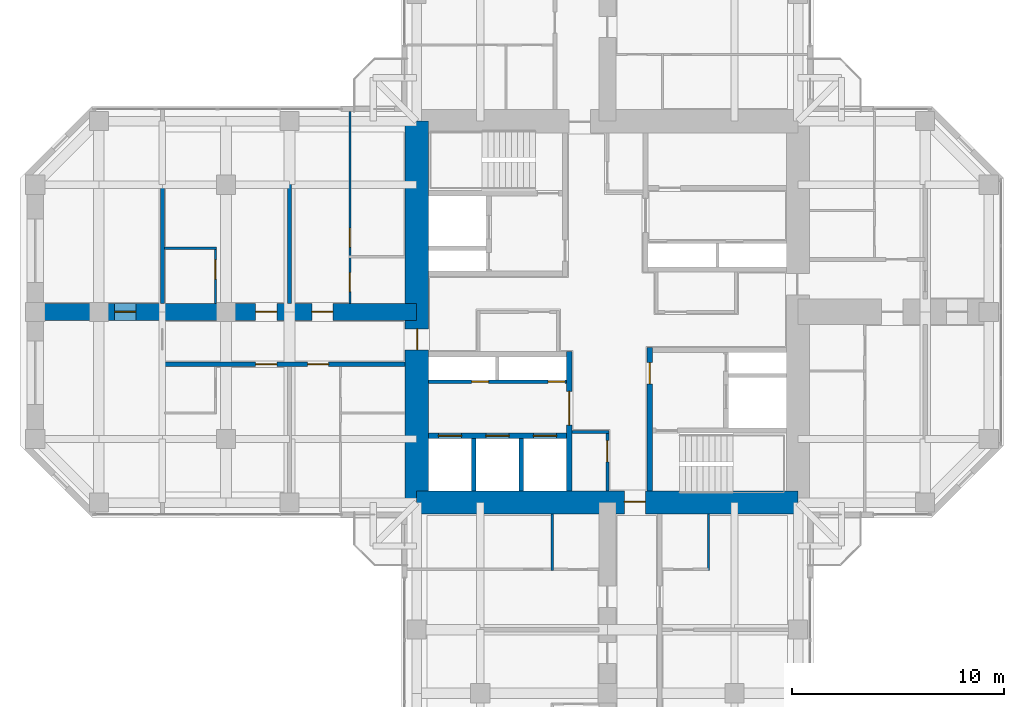
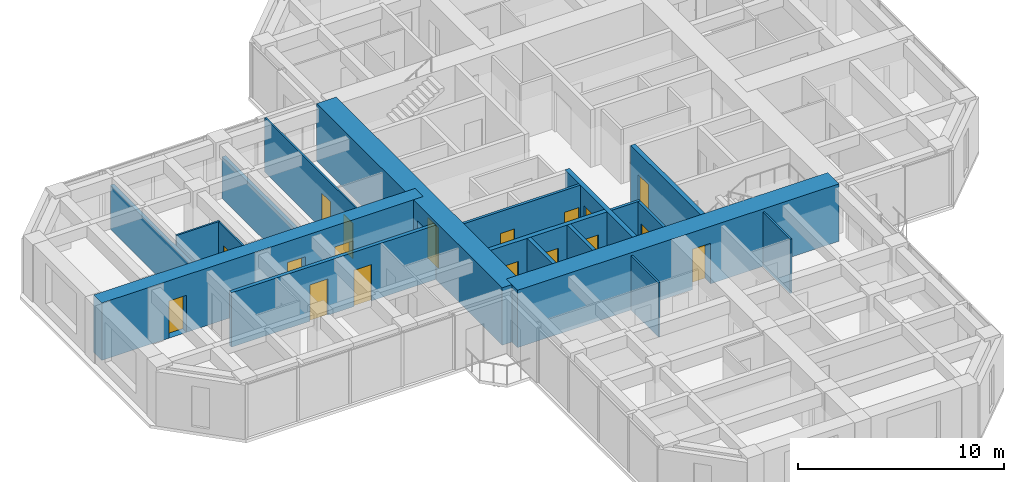
# One storey, part 9 of 14: 19 walls, 18 doors, 18 openings.
"""IFC4 building model written with IfcOpenShell, lengths in metres."""

from ifc_helpers import new_model, si_unit, direction, frame, frame_2d, origin, place, context, subcontext, project, spatial, rectangle, extrude, material, layer, layer_set, constituent, constituent_set, type_object, element, fill, save


model = new_model("IFC4")

# Units and contexts
model_context = context("Model", 3, precision=1e-05, world=origin(), true_north=direction((0.0, 1.0)))
body_context = subcontext(model_context, "Body", "Model", "MODEL_VIEW")
ifc_project = project(units=[si_unit("LENGTHUNIT", "METRE"), si_unit("AREAUNIT", "SQUARE_METRE"), si_unit("VOLUMEUNIT", "CUBIC_METRE"), si_unit("PLANEANGLEUNIT", "RADIAN"), si_unit("MASSUNIT", "GRAM", prefix="KILO")], contexts=[model_context])

# Site, building, storey
site_placement = place(None, origin())
site = spatial("IfcSite", under=ifc_project, at=site_placement, CompositionType="ELEMENT")
building_placement = place(site_placement, origin())
building = spatial("IfcBuilding", under=site, at=building_placement, Name="Torre Cruceta", CompositionType="ELEMENT")
storey_placement = place(building_placement, frame((0.0, 0.0, 186.5)))
storey = spatial("IfcBuildingStorey", under=building, at=storey_placement, Name="L46", CompositionType="ELEMENT", Elevation=186.5)

# Walls
ifc_material_1 = material(Name="Water-resistant plasterboard on steel studs", Category="steel")
ifc_layer_1 = layer(ifc_material_1, 0.10009765625)
ifc_layer_set_1 = layer_set([ifc_layer_1], Name="Water-resistant plasterboard on steel studs")
wall_type_1 = type_object("IfcWallType", Name="BATHROOM WALL 100", PredefinedType="PARTITIONING", material=ifc_layer_set_1)
for number, where, z_axis, x_axis, name in (
    (1, (4.77490234375, -9.550048828125, 0.0), (0.0, 0.0, 1.0), (0.0, -1.0, 0.0), "PT4 L46-S-U1LBB"),
    (2, (-2.60009765625, -9.550048828125, 0.0), (0.0, 0.0, 1.0), (0.0, -1.0, 0.0), "PT4 L46-S-U1RBB"),
):
    element("IfcWall", number, at=place(storey_placement, frame(where, z_axis=z_axis, x_axis=x_axis)), inside=storey, type_object=wall_type_1, Name=name, PredefinedType="PARTITIONING", context=body_context, shape_type="SweptSolid", body=[
        extrude(rectangle(XDim=2.64990234375, YDim=0.10009765625, at=frame_2d((1.324951171875, 0.0))), origin(), (0.0, 0.0, 1.0), 3.219970703125),
    ])

# Wall, openings, doors
wall_1_placement = place(storey_placement, frame((-12.14990234375, 9.445068359375, 0.0), z_axis=(0.0, 0.0, 1.0), x_axis=(0.0, -1.0, 0.0)))
wall_1 = element("IfcWall", 3, at=wall_1_placement, inside=storey, type_object=wall_type_1, Name="PT4 L46-W-U1RBS", PredefinedType="PARTITIONING", context=body_context, shape_type="SweptSolid", body=[
    extrude(rectangle(XDim=9.045166015625, YDim=0.10009765625, at=frame_2d((4.5224609375, 0.0))), origin(), (0.0, 0.0, 1.0), 3.219970703125),
])
opening_1_placement = place(wall_1_placement, frame((5.4951171875, 0.0, 0.0)))
opening_1 = element("IfcOpeningElement", 4, at=opening_1_placement, cuts=wall_1, Name="Opening D7", PredefinedType="OPENING", context=body_context, shape_type="SweptSolid", body=[
    extrude(rectangle(XDim=0.89990234375, YDim=2.10009765625, at=frame_2d((0.449951171875, 1.050048828125))), frame((0.0, 0.06005859375, 0.0), z_axis=(0.0, -1.0, 0.0), x_axis=(1.0, 0.0, 0.0)), (0.0, 0.0, 1.0), 0.1201171875),
])
opening_2_placement = place(wall_1_placement, frame((7.594970703125, 0.0, 0.0)))
opening_2 = element("IfcOpeningElement", 5, at=opening_2_placement, cuts=wall_1, Name="Opening D7", PredefinedType="OPENING", context=body_context, shape_type="SweptSolid", body=[
    extrude(rectangle(XDim=0.89990234375, YDim=2.10009765625, at=frame_2d((0.449951171875, 1.050048828125))), frame((0.0, 0.06005859375, 0.0), z_axis=(0.0, -1.0, 0.0), x_axis=(1.0, 0.0, 0.0)), (0.0, 0.0, 1.0), 0.1201171875),
])
ifc_material_2 = material(Name="Timber door", Category="wood")
door_type_1 = type_object("IfcDoorType", Name="BATHROOM DOOR 900X2100", OperationType="SINGLE_SWING_LEFT", PredefinedType="DOOR", material=ifc_material_2)
door_1_placement = place(opening_1_placement, origin())
door_1 = element("IfcDoor", 6, at=door_1_placement, inside=storey, type_object=door_type_1, Name="D7 L46-W-U1RBS-D1", OperationType="SINGLE_SWING_RIGHT", OverallHeight=2.10009765625, OverallWidth=0.89990234375, PredefinedType="DOOR", context=body_context, shape_type="SweptSolid", body=[
    extrude(rectangle(XDim=0.89990234375, YDim=2.10009765625, at=frame_2d((0.449951171875, 1.050048828125))), frame((0.0, 0.02490234375, 0.0), z_axis=(0.0, -1.0, 0.0), x_axis=(1.0, 0.0, 0.0)), (0.0, 0.0, 1.0), 0.050048828125),
])
fill(opening_1, door_1)
door_2_placement = place(opening_2_placement, origin())
door_2 = element("IfcDoor", 7, at=door_2_placement, inside=storey, type_object=door_type_1, Name="D7 L46-W-U1RBS-D2", OperationType="SINGLE_SWING_RIGHT", OverallHeight=2.10009765625, OverallWidth=0.89990234375, PredefinedType="DOOR", context=body_context, shape_type="SweptSolid", body=[
    extrude(rectangle(XDim=0.89990234375, YDim=2.10009765625, at=frame_2d((0.449951171875, 1.050048828125))), frame((0.0, 0.02490234375, 0.0), z_axis=(0.0, -1.0, 0.0), x_axis=(1.0, 0.0, 0.0)), (0.0, 0.0, 1.0), 0.050048828125),
])
fill(opening_2, door_2)

# Wall
wall_2_placement = place(storey_placement, frame((-18.449951171875, 3.0, 0.0), z_axis=(0.0, 0.0, 1.0), x_axis=(-1.0, 0.0, 0.0)))
element("IfcWall", 8, at=wall_2_placement, inside=storey, type_object=wall_type_1, Name="PT4 L46-W-U2RBB", PredefinedType="PARTITIONING", context=body_context, shape_type="SweptSolid", body=[
    extrude(rectangle(XDim=2.449951171875, YDim=0.10009765625, at=frame_2d((1.22509765625, 0.0))), origin(), (0.0, 0.0, 1.0), 3.219970703125),
])

# Wall, opening, door
wall_3_placement = place(storey_placement, frame((-18.5, 3.0, 0.0), z_axis=(0.0, 0.0, 1.0), x_axis=(0.0, -1.0, 0.0)))
wall_3 = element("IfcWall", 9, at=wall_3_placement, inside=storey, type_object=wall_type_1, Name="PT4 L46-W-U2RBS", PredefinedType="PARTITIONING", context=body_context, shape_type="SweptSolid", body=[
    extrude(rectangle(XDim=2.60009765625, YDim=0.10009765625, at=frame_2d((1.300048828125, 0.0))), origin(), (0.0, 0.0, 1.0), 3.219970703125),
])
opening_3_placement = place(wall_3_placement, frame((0.550048828125, 0.0, 0.0)))
opening_3 = element("IfcOpeningElement", 10, at=opening_3_placement, cuts=wall_3, Name="Opening D7", PredefinedType="OPENING", context=body_context, shape_type="SweptSolid", body=[
    extrude(rectangle(XDim=0.89990234375, YDim=2.10009765625, at=frame_2d((0.449951171875, 1.050048828125))), frame((0.0, 0.06005859375, 0.0), z_axis=(0.0, -1.0, 0.0), x_axis=(1.0, 0.0, 0.0)), (0.0, 0.0, 1.0), 0.1201171875),
])
door_3_placement = place(opening_3_placement, frame((0.89990234375, 0.0, 0.0), z_axis=(0.0, 0.0, 1.0), x_axis=(-1.0, 0.0, 0.0)))
door_3 = element("IfcDoor", 11, at=door_3_placement, inside=storey, type_object=door_type_1, Name="D7 L46-W-U2RBS-D1", OperationType="SINGLE_SWING_RIGHT", OverallHeight=2.10009765625, OverallWidth=0.89990234375, PredefinedType="DOOR", context=body_context, shape_type="SweptSolid", body=[
    extrude(rectangle(XDim=0.89990234375, YDim=2.10009765625, at=frame_2d((0.449951171875, 1.050048828125))), frame((0.0, 0.025146484375, 0.0), z_axis=(0.0, -1.0, 0.0), x_axis=(1.0, 0.0, 0.0)), (0.0, 0.0, 1.0), 0.050048828125),
])
fill(opening_3, door_3)

ifc_material_3 = material(Name="Concrete G60 (fck 60 MPa)", Category="concrete")
ifc_layer_2 = layer(ifc_material_3, 0.25)
ifc_layer_set_2 = layer_set([ifc_layer_2], Name="Concrete G60 (fck 60 MPa)")
wall_type_2 = type_object("IfcWallType", Name="CORE INNER WALL 250 G60", PredefinedType="SHEAR", material=ifc_layer_set_2)
wall_4_placement = place(storey_placement, frame((-1.800048828125, -1.875, 0.0), z_axis=(0.0, 0.0, 1.0), x_axis=(0.0, -1.0, 0.0)))
wall_4 = element("IfcWall", 12, at=wall_4_placement, inside=storey, type_object=wall_type_2, Name="CW4 L46 SW-CU", PredefinedType="SHEAR", context=body_context, shape_type="SweptSolid", body=[
    extrude(rectangle(XDim=6.574951171875, YDim=0.25, at=frame_2d((3.28759765625, 0.0))), origin(), (0.0, 0.0, 1.0), 3.39990234375),
])
opening_4_placement = place(wall_4_placement, frame((1.875, 0.0, 0.0)))
opening_4 = element("IfcOpeningElement", 13, at=opening_4_placement, cuts=wall_4, Name="Opening D8", PredefinedType="OPENING", context=body_context, shape_type="SweptSolid", body=[
    extrude(rectangle(XDim=1.60009765625, YDim=2.39990234375, at=frame_2d((0.800048828125, 1.199951171875))), frame((0.0, 0.135009765625, 0.0), z_axis=(0.0, -1.0, 0.0), x_axis=(1.0, 0.0, 0.0)), (0.0, 0.0, 1.0), 0.27001953125),
])
ifc_material_4 = material(Name="Steel DX51D", Category="steel")
ifc_constituent_1 = constituent(ifc_material_4, Name="Leaf and frame")
ifc_material_5 = material(Name="Polyester powder coating", Category="paint")
ifc_constituent_2 = constituent(ifc_material_5, Name="Finish")
ifc_material_6 = material(Name="Fire-resisting glass", Category="glass")
ifc_constituent_3 = constituent(ifc_material_6, Name="Vision panel")
ifc_constituent_set_1 = constituent_set(constituents=[ifc_constituent_1, ifc_constituent_2, ifc_constituent_3], Name="Steel fire door with vision panels")
door_type_2 = type_object("IfcDoorType", Name="LIFT LOBBY DOUBLE DOOR 1600X2400", OperationType="DOUBLE_DOOR_DOUBLE_SWING", PredefinedType="DOOR", material=ifc_constituent_set_1)
door_4_placement = place(opening_4_placement, origin())
door_4 = element("IfcDoor", 14, at=door_4_placement, inside=storey, type_object=door_type_2, Name="D8 L46 SW-LOBBY", OperationType="DOUBLE_DOOR_DOUBLE_SWING", OverallHeight=2.39990234375, OverallWidth=1.60009765625, PredefinedType="DOOR", context=body_context, shape_type="SweptSolid", body=[
    extrude(rectangle(XDim=1.60009765625, YDim=2.39990234375, at=frame_2d((0.800048828125, 1.199951171875))), frame((0.0, 0.02490234375, 0.0), z_axis=(0.0, -1.0, 0.0), x_axis=(1.0, 0.0, 0.0)), (0.0, 0.0, 1.0), 0.050048828125),
])
fill(opening_4, door_4)

# Wall, openings, doors
wall_5_placement = place(storey_placement, frame((-1.925048828125, -5.85009765625, 0.0), z_axis=(0.0, 0.0, 1.0), x_axis=(-1.0, 0.0, 0.0)))
wall_5 = element("IfcWall", 15, at=wall_5_placement, inside=storey, type_object=wall_type_2, Name="CW4 L46 SW-LV", PredefinedType="SHEAR", context=body_context, shape_type="SweptSolid", body=[
    extrude(rectangle(XDim=6.52490234375, YDim=0.25, at=frame_2d((3.262451171875, 0.0))), origin(), (0.0, 0.0, 1.0), 3.39990234375),
])
opening_5_placement = place(wall_5_placement, frame((0.470947265625, 0.0, 0.0)))
opening_5 = element("IfcOpeningElement", 16, at=opening_5_placement, cuts=wall_5, Name="Opening LD1", PredefinedType="OPENING", context=body_context, shape_type="SweptSolid", body=[
    extrude(rectangle(XDim=1.10009765625, YDim=2.199951171875, at=frame_2d((0.550048828125, 1.10009765625))), frame((0.0, 0.135009765625, 0.0), z_axis=(0.0, -1.0, 0.0), x_axis=(1.0, 0.0, 0.0)), (0.0, 0.0, 1.0), 0.27001953125),
])
opening_6_placement = place(wall_5_placement, frame((2.71240234375, 0.0, 0.0)))
opening_6 = element("IfcOpeningElement", 17, at=opening_6_placement, cuts=wall_5, Name="Opening LD1", PredefinedType="OPENING", context=body_context, shape_type="SweptSolid", body=[
    extrude(rectangle(XDim=1.10009765625, YDim=2.199951171875, at=frame_2d((0.550048828125, 1.10009765625))), frame((0.0, 0.135009765625, 0.0), z_axis=(0.0, -1.0, 0.0), x_axis=(1.0, 0.0, 0.0)), (0.0, 0.0, 1.0), 0.27001953125),
])
opening_7_placement = place(wall_5_placement, frame((4.9541015625, 0.0, 0.0)))
opening_7 = element("IfcOpeningElement", 18, at=opening_7_placement, cuts=wall_5, Name="Opening LD1", PredefinedType="OPENING", context=body_context, shape_type="SweptSolid", body=[
    extrude(rectangle(XDim=1.10009765625, YDim=2.199951171875, at=frame_2d((0.550048828125, 1.10009765625))), frame((0.0, 0.135009765625, 0.0), z_axis=(0.0, -1.0, 0.0), x_axis=(1.0, 0.0, 0.0)), (0.0, 0.0, 1.0), 0.27001953125),
])
ifc_material_7 = material(Name="Stainless steel 1.4401", Category="steel")
door_type_3 = type_object("IfcDoorType", Name="LIFT LANDING DOOR 1100X2200", OperationType="DOUBLE_DOOR_SLIDING", PredefinedType="DOOR", material=ifc_material_7)
door_5_placement = place(opening_5_placement, origin())
door_5 = element("IfcDoor", 19, at=door_5_placement, inside=storey, type_object=door_type_3, Name="Lift landing door R1", OperationType="DOUBLE_DOOR_SLIDING", OverallHeight=2.199951171875, OverallWidth=1.10009765625, PredefinedType="DOOR", context=body_context, shape_type="SweptSolid", body=[
    extrude(rectangle(XDim=1.10009765625, YDim=2.199951171875, at=frame_2d((0.550048828125, 1.10009765625))), frame((0.0, 0.02490234375, 0.0), z_axis=(0.0, -1.0, 0.0), x_axis=(1.0, 0.0, 0.0)), (0.0, 0.0, 1.0), 0.050048828125),
])
fill(opening_5, door_5)
door_6_placement = place(opening_6_placement, origin())
door_6 = element("IfcDoor", 20, at=door_6_placement, inside=storey, type_object=door_type_3, Name="Lift landing door R2", OperationType="DOUBLE_DOOR_SLIDING", OverallHeight=2.199951171875, OverallWidth=1.10009765625, PredefinedType="DOOR", context=body_context, shape_type="SweptSolid", body=[
    extrude(rectangle(XDim=1.10009765625, YDim=2.199951171875, at=frame_2d((0.550048828125, 1.10009765625))), frame((0.0, 0.02490234375, 0.0), z_axis=(0.0, -1.0, 0.0), x_axis=(1.0, 0.0, 0.0)), (0.0, 0.0, 1.0), 0.050048828125),
])
fill(opening_6, door_6)
door_7_placement = place(opening_7_placement, origin())
door_7 = element("IfcDoor", 21, at=door_7_placement, inside=storey, type_object=door_type_3, Name="Lift landing door R3", OperationType="DOUBLE_DOOR_SLIDING", OverallHeight=2.199951171875, OverallWidth=1.10009765625, PredefinedType="DOOR", context=body_context, shape_type="SweptSolid", body=[
    extrude(rectangle(XDim=1.10009765625, YDim=2.199951171875, at=frame_2d((0.550048828125, 1.10009765625))), frame((0.0, 0.02490234375, 0.0), z_axis=(0.0, -1.0, 0.0), x_axis=(1.0, 0.0, 0.0)), (0.0, 0.0, 1.0), 0.050048828125),
])
fill(opening_7, door_7)

# Wall, opening, door
wall_6_placement = place(storey_placement, frame((2.0, -1.675048828125, 0.0), z_axis=(0.0, 0.0, 1.0), x_axis=(0.0, -1.0, 0.0)))
wall_6 = element("IfcWall", 22, at=wall_6_placement, inside=storey, type_object=wall_type_2, Name="CW4 L46 SE-CU", PredefinedType="SHEAR", context=body_context, shape_type="SweptSolid", body=[
    extrude(rectangle(XDim=6.77490234375, YDim=0.25, at=frame_2d((3.387451171875, 0.0))), origin(), (0.0, 0.0, 1.0), 3.39990234375),
])
opening_8_placement = place(wall_6_placement, frame((0.72509765625, 0.0, 0.0)))
opening_8 = element("IfcOpeningElement", 23, at=opening_8_placement, cuts=wall_6, Name="Opening D3", PredefinedType="OPENING", context=body_context, shape_type="SweptSolid", body=[
    extrude(rectangle(XDim=1.0, YDim=2.10009765625, at=frame_2d((0.5, 1.050048828125))), frame((0.0, 0.135009765625, 0.0), z_axis=(0.0, -1.0, 0.0), x_axis=(1.0, 0.0, 0.0)), (0.0, 0.0, 1.0), 0.27001953125),
])
ifc_material_8 = material(Name="Steel DX51D", Category="steel")
ifc_constituent_4 = constituent(ifc_material_8, Name="Leaf and frame")
ifc_material_9 = material(Name="Polyester powder coating", Category="paint")
ifc_constituent_5 = constituent(ifc_material_9, Name="Finish")
ifc_constituent_set_2 = constituent_set(constituents=[ifc_constituent_4, ifc_constituent_5], Name="Steel fire door")
door_type_4 = type_object("IfcDoorType", Name="FIRE DOOR 1000X2100", OperationType="SINGLE_SWING_LEFT", PredefinedType="DOOR", material=ifc_constituent_set_2)
door_8_placement = place(opening_8_placement, origin())
door_8 = element("IfcDoor", 24, at=door_8_placement, inside=storey, type_object=door_type_4, Name="D3 L46 SE-LOBBY", OperationType="SINGLE_SWING_LEFT", OverallHeight=2.10009765625, OverallWidth=1.0, PredefinedType="DOOR", context=body_context, shape_type="SweptSolid", body=[
    extrude(rectangle(XDim=1.0, YDim=2.10009765625, at=frame_2d((0.5, 1.050048828125))), frame((0.0, 0.02490234375, 0.0), z_axis=(0.0, -1.0, 0.0), x_axis=(1.0, 0.0, 0.0)), (0.0, 0.0, 1.0), 0.050048828125),
])
fill(opening_8, door_8)

ifc_material_10 = material(Name="Concrete G60 (fck 60 MPa)", Category="concrete")
ifc_layer_3 = layer(ifc_material_10, 1.10009765625)
ifc_layer_set_3 = layer_set([ifc_layer_3], Name="Concrete G60 (fck 60 MPa)")
wall_type_3 = type_object("IfcWallType", Name="CORE WALL 1100 G60", PredefinedType="SHEAR", material=ifc_layer_set_3)
wall_7_placement = place(storey_placement, frame((-9.0, -9.0, 0.0), z_axis=(0.0, 0.0, 1.0), x_axis=(1.0, 0.0, 0.0)))
wall_7 = element("IfcWall", 25, at=wall_7_placement, inside=storey, type_object=wall_type_3, Name="CW2 L46 CW-S", PredefinedType="SHEAR", context=body_context, shape_type="SweptSolid", body=[
    extrude(rectangle(XDim=18.0, YDim=1.10009765625, at=frame_2d((9.0, 0.0))), origin(), (0.0, 0.0, 1.0), 3.39990234375),
])
opening_9_placement = place(wall_7_placement, frame((9.800048828125, 0.0, 0.0)))
opening_9 = element("IfcOpeningElement", 26, at=opening_9_placement, cuts=wall_7, Name="Opening D4", PredefinedType="OPENING", context=body_context, shape_type="SweptSolid", body=[
    extrude(rectangle(XDim=1.0, YDim=2.39990234375, at=frame_2d((0.5, 1.199951171875))), frame((0.0, 0.56005859375, 0.0), z_axis=(0.0, -1.0, 0.0), x_axis=(1.0, 0.0, 0.0)), (0.0, 0.0, 1.0), 1.1201171875),
])
ifc_material_11 = material(Name="Steel DX51D", Category="steel")
ifc_constituent_6 = constituent(ifc_material_11, Name="Leaf and frame")
ifc_material_12 = material(Name="Polyester powder coating", Category="paint")
ifc_constituent_7 = constituent(ifc_material_12, Name="Finish")
ifc_constituent_set_3 = constituent_set(constituents=[ifc_constituent_6, ifc_constituent_7], Name="Steel fire door")
door_type_5 = type_object("IfcDoorType", Name="CORE ARM DOOR 1000X2400", OperationType="SINGLE_SWING_RIGHT", PredefinedType="DOOR", material=ifc_constituent_set_3)
door_9_placement = place(opening_9_placement, origin())
door_9 = element("IfcDoor", 27, at=door_9_placement, inside=storey, type_object=door_type_5, Name="D4 L46 CW-S", OperationType="SINGLE_SWING_RIGHT", OverallHeight=2.39990234375, OverallWidth=1.0, PredefinedType="DOOR", context=body_context, shape_type="SweptSolid", body=[
    extrude(rectangle(XDim=1.0, YDim=2.39990234375, at=frame_2d((0.5, 1.199951171875))), frame((0.0, 0.05517578125, 0.0), z_axis=(0.0, -1.0, 0.0), x_axis=(1.0, 0.0, 0.0)), (0.0, 0.0, 1.0), 0.050048828125),
])
fill(opening_9, door_9)

wall_8_placement = place(storey_placement, frame((-9.0, 9.0, 0.0), z_axis=(0.0, 0.0, 1.0), x_axis=(0.0, -1.0, 0.0)))
wall_8 = element("IfcWall", 28, at=wall_8_placement, inside=storey, type_object=wall_type_3, Name="CW2 L46 CW-W", PredefinedType="SHEAR", context=body_context, shape_type="SweptSolid", body=[
    extrude(rectangle(XDim=18.0, YDim=1.10009765625, at=frame_2d((9.0, 0.0))), origin(), (0.0, 0.0, 1.0), 3.39990234375),
])
opening_10_placement = place(wall_8_placement, frame((9.800048828125, 0.0, 0.0)))
opening_10 = element("IfcOpeningElement", 29, at=opening_10_placement, cuts=wall_8, Name="Opening D4", PredefinedType="OPENING", context=body_context, shape_type="SweptSolid", body=[
    extrude(rectangle(XDim=1.0, YDim=2.39990234375, at=frame_2d((0.5, 1.199951171875))), frame((0.0, 0.56005859375, 0.0), z_axis=(0.0, -1.0, 0.0), x_axis=(1.0, 0.0, 0.0)), (0.0, 0.0, 1.0), 1.1201171875),
])
door_10_placement = place(opening_10_placement, origin())
door_10 = element("IfcDoor", 30, at=door_10_placement, inside=storey, type_object=door_type_5, Name="D4 L46 CW-W", OperationType="SINGLE_SWING_RIGHT", OverallHeight=2.39990234375, OverallWidth=1.0, PredefinedType="DOOR", context=body_context, shape_type="SweptSolid", body=[
    extrude(rectangle(XDim=1.0, YDim=2.39990234375, at=frame_2d((0.5, 1.199951171875))), frame((0.0, 0.05517578125, 0.0), z_axis=(0.0, -1.0, 0.0), x_axis=(1.0, 0.0, 0.0)), (0.0, 0.0, 1.0), 0.050048828125),
])
fill(opening_10, door_10)

# Wall, openings, doors
ifc_material_13 = material(Name="Concrete G25 (fck 25 MPa)", Category="concrete")
ifc_layer_4 = layer(ifc_material_13, 0.199951171875)
ifc_layer_set_4 = layer_set([ifc_layer_4], Name="Concrete G25 (fck 25 MPa)")
wall_type_4 = type_object("IfcWallType", Name="CORRIDOR WALL 200", PredefinedType="SOLIDWALL", material=ifc_layer_set_4)
wall_9_placement = place(storey_placement, frame((-9.550048828125, -2.47509765625, 0.0), z_axis=(0.0, 0.0, 1.0), x_axis=(-1.0, 0.0, 0.0)))
wall_9 = element("IfcWall", 31, at=wall_9_placement, inside=storey, type_object=wall_type_4, Name="PT3 L46-W-CL", PredefinedType="SOLIDWALL", context=body_context, shape_type="SweptSolid", body=[
    extrude(rectangle(XDim=11.449951171875, YDim=0.199951171875, at=frame_2d((5.72509765625, 0.0))), origin(), (0.0, 0.0, 1.0), 3.219970703125),
])
opening_11_placement = place(wall_9_placement, frame((3.60009765625, 0.0, 0.0)))
opening_11 = element("IfcOpeningElement", 32, at=opening_11_placement, cuts=wall_9, Name="Opening D6", PredefinedType="OPENING", context=body_context, shape_type="SweptSolid", body=[
    extrude(rectangle(XDim=1.0, YDim=2.14990234375, at=frame_2d((0.5, 1.074951171875))), frame((0.0, 0.10986328125, 0.0), z_axis=(0.0, -1.0, 0.0), x_axis=(1.0, 0.0, 0.0)), (0.0, 0.0, 1.0), 0.219970703125),
])
opening_12_placement = place(wall_9_placement, frame((6.050048828125, 0.0, 0.0)))
opening_12 = element("IfcOpeningElement", 33, at=opening_12_placement, cuts=wall_9, Name="Opening D6", PredefinedType="OPENING", context=body_context, shape_type="SweptSolid", body=[
    extrude(rectangle(XDim=1.0, YDim=2.14990234375, at=frame_2d((0.5, 1.074951171875))), frame((0.0, 0.10986328125, 0.0), z_axis=(0.0, -1.0, 0.0), x_axis=(1.0, 0.0, 0.0)), (0.0, 0.0, 1.0), 0.219970703125),
])
ifc_material_14 = material(Name="Timber fire door", Category="wood")
door_type_6 = type_object("IfcDoorType", Name="UNIT ENTRANCE DOOR 1000X2150", OperationType="SINGLE_SWING_LEFT", PredefinedType="DOOR", material=ifc_material_14)
door_11_placement = place(opening_11_placement, origin())
door_11 = element("IfcDoor", 34, at=door_11_placement, inside=storey, type_object=door_type_6, Name="D6 L46-W-CL-D1", OperationType="SINGLE_SWING_LEFT", OverallHeight=2.14990234375, OverallWidth=1.0, PredefinedType="DOOR", context=body_context, shape_type="SweptSolid", body=[
    extrude(rectangle(XDim=1.0, YDim=2.14990234375, at=frame_2d((0.5, 1.074951171875))), frame((0.0, 0.02490234375, 0.0), z_axis=(0.0, -1.0, 0.0), x_axis=(1.0, 0.0, 0.0)), (0.0, 0.0, 1.0), 0.050048828125),
])
fill(opening_11, door_11)
door_12_placement = place(opening_12_placement, origin())
door_12 = element("IfcDoor", 35, at=door_12_placement, inside=storey, type_object=door_type_6, Name="D6 L46-W-CL-D2", OperationType="SINGLE_SWING_LEFT", OverallHeight=2.14990234375, OverallWidth=1.0, PredefinedType="DOOR", context=body_context, shape_type="SweptSolid", body=[
    extrude(rectangle(XDim=1.0, YDim=2.14990234375, at=frame_2d((0.5, 1.074951171875))), frame((0.0, 0.02490234375, 0.0), z_axis=(0.0, -1.0, 0.0), x_axis=(1.0, 0.0, 0.0)), (0.0, 0.0, 1.0), 0.050048828125),
])
fill(opening_12, door_12)

# Walls
ifc_material_15 = material(Name="Concrete G35 (fck 35 MPa)", Category="concrete")
ifc_layer_5 = layer(ifc_material_15, 0.199951171875)
ifc_layer_set_5 = layer_set([ifc_layer_5], Name="Concrete G35 (fck 35 MPa)")
wall_type_5 = type_object("IfcWallType", Name="LIFT SHAFT WALL 200", PredefinedType="PARTITIONING", material=ifc_layer_set_5)
for number, where, z_axis, x_axis, name in (
    (36, (-4.066650390625, -5.97509765625, 0.0), (0.0, 0.0, 1.0), (0.0, -1.0, 0.0), "SW1 L46 SW-LS1"),
    (37, (-6.308349609375, -5.97509765625, 0.0), (0.0, 0.0, 1.0), (0.0, -1.0, 0.0), "SW1 L46 SW-LS2"),
):
    element("IfcWall", number, at=place(storey_placement, frame(where, z_axis=z_axis, x_axis=x_axis)), inside=storey, type_object=wall_type_5, Name=name, PredefinedType="PARTITIONING", context=body_context, shape_type="SweptSolid", body=[
        extrude(rectangle(XDim=2.474853515625, YDim=0.199951171875, at=frame_2d((1.2373046875, 0.0))), origin(), (0.0, 0.0, 1.0), 3.39990234375),
    ])

# Wall, opening, door
ifc_material_16 = material(Name="Plasterboard on steel studs", Category="steel")
ifc_layer_6 = layer(ifc_material_16, 0.14990234375)
ifc_layer_set_6 = layer_set([ifc_layer_6], Name="Plasterboard on steel studs")
wall_type_6 = type_object("IfcWallType", Name="PARTITION 150", PredefinedType="PARTITIONING", material=ifc_layer_set_6)
wall_10_placement = place(storey_placement, frame((0.0, -5.675048828125, 0.0), z_axis=(0.0, 0.0, 1.0), x_axis=(0.0, -1.0, 0.0)))
wall_10 = element("IfcWall", 38, at=wall_10_placement, inside=storey, type_object=wall_type_6, Name="PT1 L46-CORE-LEGS-W-W1", PredefinedType="PARTITIONING", context=body_context, shape_type="SweptSolid", body=[
    extrude(rectangle(XDim=2.77490234375, YDim=0.14990234375, at=frame_2d((1.387451171875, 0.0))), origin(), (0.0, 0.0, 1.0), 3.219970703125),
])
opening_13_placement = place(wall_10_placement, frame((0.39990234375, 0.0, 0.0)))
opening_13 = element("IfcOpeningElement", 39, at=opening_13_placement, cuts=wall_10, Name="Opening D3", PredefinedType="OPENING", context=body_context, shape_type="SweptSolid", body=[
    extrude(rectangle(XDim=1.0, YDim=2.10009765625, at=frame_2d((0.5, 1.050048828125))), frame((0.0, 0.0849609375, 0.0), z_axis=(0.0, -1.0, 0.0), x_axis=(1.0, 0.0, 0.0)), (0.0, 0.0, 1.0), 0.169921875),
])
door_13_placement = place(opening_13_placement, frame((1.0, 0.0, 0.0), z_axis=(0.0, 0.0, 1.0), x_axis=(-1.0, 0.0, 0.0)))
door_13 = element("IfcDoor", 40, at=door_13_placement, inside=storey, type_object=door_type_4, Name="D3 L46-CORE-LEGS-W-W1-D1", OperationType="SINGLE_SWING_RIGHT", OverallHeight=2.10009765625, OverallWidth=1.0, PredefinedType="DOOR", context=body_context, shape_type="SweptSolid", body=[
    extrude(rectangle(XDim=1.0, YDim=2.10009765625, at=frame_2d((0.5, 1.050048828125))), frame((0.0, 0.025146484375, 0.0), z_axis=(0.0, -1.0, 0.0), x_axis=(1.0, 0.0, 0.0)), (0.0, 0.0, 1.0), 0.050048828125),
])
fill(opening_13, door_13)

# Wall
wall_11_placement = place(storey_placement, frame((-1.675048828125, -5.675048828125, 0.0), z_axis=(0.0, 0.0, 1.0), x_axis=(1.0, 0.0, 0.0)))
element("IfcWall", 41, at=wall_11_placement, inside=storey, type_object=wall_type_6, Name="PT1 L46-CORE-LEGS-W-W2", PredefinedType="PARTITIONING", context=body_context, shape_type="SweptSolid", body=[
    extrude(rectangle(XDim=1.75, YDim=0.14990234375, at=frame_2d((0.875, 0.0))), origin(), (0.0, 0.0, 1.0), 3.219970703125),
])

# Wall, openings, doors
ifc_material_17 = material(Name="Concrete block masonry", Category="masonry")
ifc_layer_7 = layer(ifc_material_17, 0.14990234375)
ifc_layer_set_7 = layer_set([ifc_layer_7], Name="Concrete block masonry")
wall_type_7 = type_object("IfcWallType", Name="RISER WALL 150", PredefinedType="PARTITIONING", material=ifc_layer_set_7)
wall_12_placement = place(storey_placement, frame((-1.925048828125, -3.300048828125, 0.0), z_axis=(0.0, 0.0, 1.0), x_axis=(-1.0, 0.0, 0.0)))
wall_12 = element("IfcWall", 42, at=wall_12_placement, inside=storey, type_object=wall_type_7, Name="SW7 L46 SW-RV", PredefinedType="PARTITIONING", context=body_context, shape_type="SweptSolid", body=[
    extrude(rectangle(XDim=6.52490234375, YDim=0.14990234375, at=frame_2d((3.262451171875, 0.0))), origin(), (0.0, 0.0, 1.0), 3.39990234375),
])
opening_14_placement = place(wall_12_placement, frame((0.074951171875, 0.0, 0.0)))
opening_14 = element("IfcOpeningElement", 43, at=opening_14_placement, cuts=wall_12, Name="Opening D5", PredefinedType="OPENING", context=body_context, shape_type="SweptSolid", body=[
    extrude(rectangle(XDim=0.800048828125, YDim=2.10009765625, at=frame_2d((0.39990234375, 1.050048828125))), frame((0.0, 0.0849609375, 0.0), z_axis=(0.0, -1.0, 0.0), x_axis=(1.0, 0.0, 0.0)), (0.0, 0.0, 1.0), 0.169921875),
])
opening_15_placement = place(wall_12_placement, frame((3.675048828125, 0.0, 0.0)))
opening_15 = element("IfcOpeningElement", 44, at=opening_15_placement, cuts=wall_12, Name="Opening D5", PredefinedType="OPENING", context=body_context, shape_type="SweptSolid", body=[
    extrude(rectangle(XDim=0.800048828125, YDim=2.10009765625, at=frame_2d((0.39990234375, 1.050048828125))), frame((0.0, 0.0849609375, 0.0), z_axis=(0.0, -1.0, 0.0), x_axis=(1.0, 0.0, 0.0)), (0.0, 0.0, 1.0), 0.169921875),
])
ifc_material_18 = material(Name="Steel DX51D", Category="steel")
ifc_constituent_8 = constituent(ifc_material_18, Name="Leaf and frame")
ifc_material_19 = material(Name="Polyester powder coating", Category="paint")
ifc_constituent_9 = constituent(ifc_material_19, Name="Finish")
ifc_constituent_set_4 = constituent_set(constituents=[ifc_constituent_8, ifc_constituent_9], Name="Steel fire door")
door_type_7 = type_object("IfcDoorType", Name="RISER ACCESS DOOR 800X2100", OperationType="SINGLE_SWING_LEFT", PredefinedType="DOOR", material=ifc_constituent_set_4)
door_14_placement = place(opening_14_placement, frame((0.800048828125, 0.0, 0.0), z_axis=(0.0, 0.0, 1.0), x_axis=(-1.0, 0.0, 0.0)))
door_14 = element("IfcDoor", 45, at=door_14_placement, inside=storey, type_object=door_type_7, Name="D5 L46 SW-RISER1", OperationType="SINGLE_SWING_RIGHT", OverallHeight=2.10009765625, OverallWidth=0.800048828125, PredefinedType="DOOR", context=body_context, shape_type="SweptSolid", body=[
    extrude(rectangle(XDim=0.800048828125, YDim=2.10009765625, at=frame_2d((0.400146484375, 1.050048828125))), frame((0.0, 0.025146484375, 0.0), z_axis=(0.0, -1.0, 0.0), x_axis=(1.0, 0.0, 0.0)), (0.0, 0.0, 1.0), 0.050048828125),
])
fill(opening_14, door_14)
door_15_placement = place(opening_15_placement, frame((0.800048828125, 0.0, 0.0), z_axis=(0.0, 0.0, 1.0), x_axis=(-1.0, 0.0, 0.0)))
door_15 = element("IfcDoor", 46, at=door_15_placement, inside=storey, type_object=door_type_7, Name="D5 L46 SW-RISER2", OperationType="SINGLE_SWING_RIGHT", OverallHeight=2.10009765625, OverallWidth=0.800048828125, PredefinedType="DOOR", context=body_context, shape_type="SweptSolid", body=[
    extrude(rectangle(XDim=0.800048828125, YDim=2.10009765625, at=frame_2d((0.400146484375, 1.050048828125))), frame((0.0, 0.025146484375, 0.0), z_axis=(0.0, -1.0, 0.0), x_axis=(1.0, 0.0, 0.0)), (0.0, 0.0, 1.0), 0.050048828125),
])
fill(opening_15, door_15)

ifc_material_20 = material(Name="Concrete G60 (fck 60 MPa)", Category="concrete")
ifc_layer_8 = layer(ifc_material_20, 0.800048828125)
ifc_layer_set_8 = layer_set([ifc_layer_8], Name="Concrete G60 (fck 60 MPa)")
wall_type_8 = type_object("IfcWallType", Name="SPINE WALL 800 G60", PredefinedType="SHEAR", material=ifc_layer_set_8)
wall_13_placement = place(storey_placement, frame((-9.0, 0.0, 0.0), z_axis=(0.0, 0.0, 1.0), x_axis=(-1.0, 0.0, 0.0)))
wall_13 = element("IfcWall", 47, at=wall_13_placement, inside=storey, type_object=wall_type_8, Name="SW4 spine wall L46 W", PredefinedType="SHEAR", context=body_context, shape_type="SweptSolid", body=[
    extrude(rectangle(XDim=18.0, YDim=0.800048828125, at=frame_2d((9.0, 0.0))), origin(), (0.0, 0.0, 1.0), 3.39990234375),
])
opening_16_placement = place(wall_13_placement, frame((3.949951171875, 0.0, 0.0)))
opening_16 = element("IfcOpeningElement", 48, at=opening_16_placement, cuts=wall_13, Name="Opening D6", PredefinedType="OPENING", context=body_context, shape_type="SweptSolid", body=[
    extrude(rectangle(XDim=1.0, YDim=2.14990234375, at=frame_2d((0.5, 1.074951171875))), frame((0.0, 0.409912109375, 0.0), z_axis=(0.0, -1.0, 0.0), x_axis=(1.0, 0.0, 0.0)), (0.0, 0.0, 1.0), 0.820068359375),
])
opening_17_placement = place(wall_13_placement, frame((6.60009765625, 0.0, 0.0)))
opening_17 = element("IfcOpeningElement", 49, at=opening_17_placement, cuts=wall_13, Name="Opening D6", PredefinedType="OPENING", context=body_context, shape_type="SweptSolid", body=[
    extrude(rectangle(XDim=1.0, YDim=2.14990234375, at=frame_2d((0.5, 1.074951171875))), frame((0.0, 0.409912109375, 0.0), z_axis=(0.0, -1.0, 0.0), x_axis=(1.0, 0.0, 0.0)), (0.0, 0.0, 1.0), 0.820068359375),
])
opening_18_placement = place(wall_13_placement, frame((13.25, 0.0, 0.0)))
opening_18 = element("IfcOpeningElement", 50, at=opening_18_placement, cuts=wall_13, Name="Opening D14", PredefinedType="OPENING", context=body_context, shape_type="SweptSolid", body=[
    extrude(rectangle(XDim=1.0, YDim=2.199951171875, at=frame_2d((0.5, 1.10009765625))), frame((0.0, 0.409912109375, 0.0), z_axis=(0.0, -1.0, 0.0), x_axis=(1.0, 0.0, 0.0)), (0.0, 0.0, 1.0), 0.820068359375),
])
ifc_material_21 = material(Name="Steel DX51D", Category="steel")
ifc_constituent_10 = constituent(ifc_material_21, Name="Leaf and frame")
ifc_material_22 = material(Name="Polyester powder coating", Category="paint")
ifc_constituent_11 = constituent(ifc_material_22, Name="Finish")
ifc_material_23 = material(Name="Fire-resisting glass", Category="glass")
ifc_constituent_12 = constituent(ifc_material_23, Name="Vision panel")
ifc_constituent_set_5 = constituent_set(constituents=[ifc_constituent_10, ifc_constituent_11, ifc_constituent_12], Name="Steel fire door with vision panel")
door_type_8 = type_object("IfcDoorType", Name="FIRE DOOR VISION PANEL 1000X2200", OperationType="SINGLE_SWING_RIGHT", PredefinedType="DOOR", material=ifc_constituent_set_5)
door_16_placement = place(opening_18_placement, origin())
door_16 = element("IfcDoor", 51, at=door_16_placement, inside=storey, type_object=door_type_8, Name="D14 L46-W-SP3", OperationType="SINGLE_SWING_LEFT", OverallHeight=2.199951171875, OverallWidth=1.0, PredefinedType="DOOR", context=body_context, shape_type="SweptSolid", body=[
    extrude(rectangle(XDim=1.0, YDim=2.199951171875, at=frame_2d((0.5, 1.10009765625))), frame((0.0, 0.02490234375, 0.0), z_axis=(0.0, -1.0, 0.0), x_axis=(1.0, 0.0, 0.0)), (0.0, 0.0, 1.0), 0.050048828125),
])
fill(opening_18, door_16)
door_17_placement = place(opening_16_placement, frame((1.0, 0.0, 0.0), z_axis=(0.0, 0.0, 1.0), x_axis=(-1.0, 0.0, 0.0)))
door_17 = element("IfcDoor", 52, at=door_17_placement, inside=storey, type_object=door_type_6, Name="D6 L46-W-SP1", OperationType="SINGLE_SWING_RIGHT", OverallHeight=2.14990234375, OverallWidth=1.0, PredefinedType="DOOR", context=body_context, shape_type="SweptSolid", body=[
    extrude(rectangle(XDim=1.0, YDim=2.14990234375, at=frame_2d((0.5, 1.074951171875))), frame((0.0, 0.025146484375, 0.0), z_axis=(0.0, -1.0, 0.0), x_axis=(1.0, 0.0, 0.0)), (0.0, 0.0, 1.0), 0.050048828125),
])
fill(opening_16, door_17)
door_18_placement = place(opening_17_placement, frame((1.0, 0.0, 0.0), z_axis=(0.0, 0.0, 1.0), x_axis=(-1.0, 0.0, 0.0)))
door_18 = element("IfcDoor", 53, at=door_18_placement, inside=storey, type_object=door_type_6, Name="D6 L46-W-SP2", OperationType="SINGLE_SWING_RIGHT", OverallHeight=2.14990234375, OverallWidth=1.0, PredefinedType="DOOR", context=body_context, shape_type="SweptSolid", body=[
    extrude(rectangle(XDim=1.0, YDim=2.14990234375, at=frame_2d((0.5, 1.074951171875))), frame((0.0, 0.025146484375, 0.0), z_axis=(0.0, -1.0, 0.0), x_axis=(1.0, 0.0, 0.0)), (0.0, 0.0, 1.0), 0.050048828125),
])
fill(opening_17, door_18)

# Walls
ifc_material_24 = material(Name="Concrete G25 (fck 25 MPa)", Category="concrete")
ifc_layer_9 = layer(ifc_material_24, 0.199951171875)
ifc_layer_set_9 = layer_set([ifc_layer_9], Name="Concrete G25 (fck 25 MPa)")
wall_type_9 = type_object("IfcWallType", Name="UNIT SEPARATING WALL 200", PredefinedType="SOLIDWALL", material=ifc_layer_set_9)
wall_14_placement = place(storey_placement, frame((-15.0, 8.550048828125, 0.0), z_axis=(0.0, 0.0, 1.0), x_axis=(0.0, -1.0, 0.0)))
element("IfcWall", 54, at=wall_14_placement, inside=storey, type_object=wall_type_9, Name="PT2 L46-W-P1R", PredefinedType="SOLIDWALL", context=body_context, shape_type="SweptSolid", body=[
    extrude(rectangle(XDim=8.150146484375, YDim=0.199951171875, at=frame_2d((4.0751953125, 0.0))), origin(), (0.0, 0.0, 1.0), 2.469970703125),
])
wall_15_placement = place(storey_placement, frame((-21.0, 9.0, 0.0), z_axis=(0.0, 0.0, 1.0), x_axis=(0.0, -1.0, 0.0)))
element("IfcWall", 55, at=wall_15_placement, inside=storey, type_object=wall_type_9, Name="PT2 L46-W-ENDa 2", PredefinedType="SOLIDWALL", context=body_context, shape_type="SweptSolid", body=[
    extrude(rectangle(XDim=8.60009765625, YDim=0.199951171875, at=frame_2d((4.300048828125, 0.0))), origin(), (0.0, 0.0, 1.0), 2.6201171875),
])

save(model, "model.ifc")
